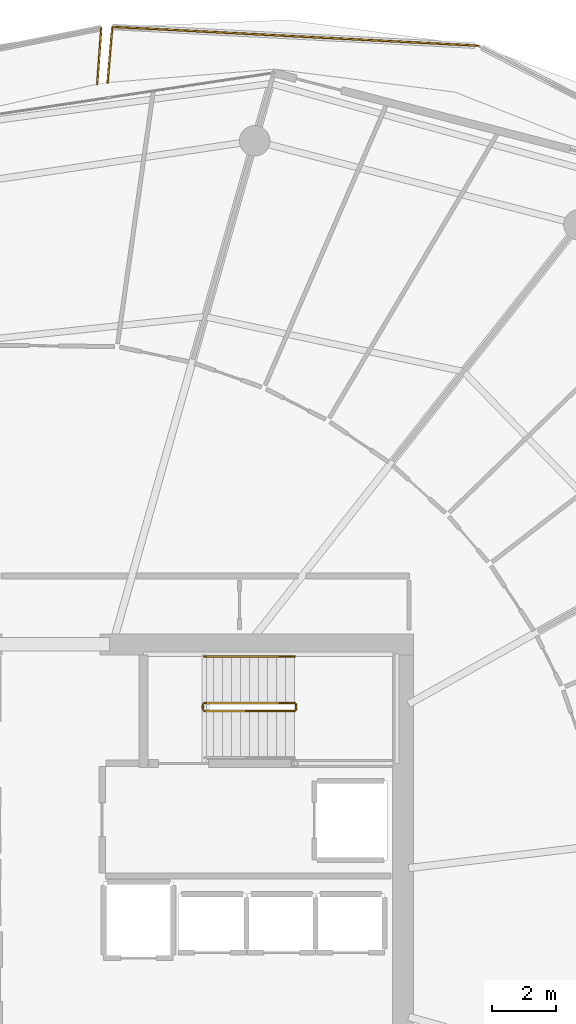
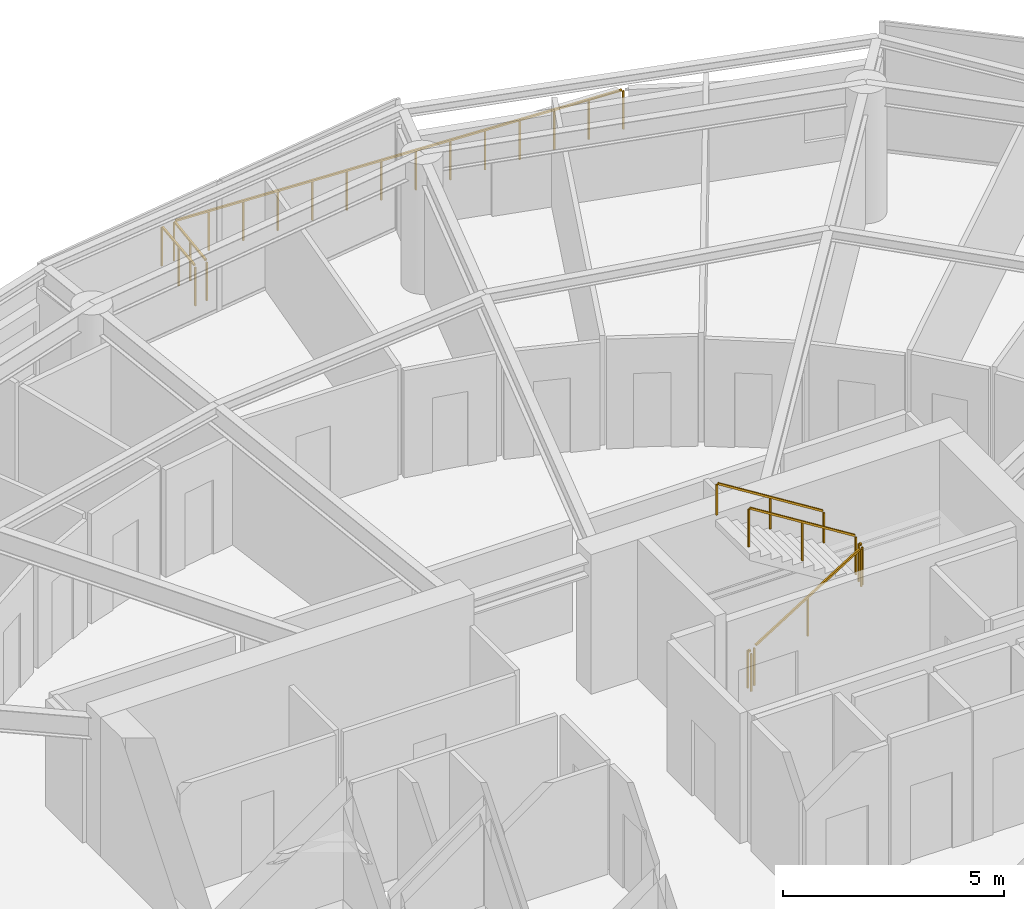
# One storey, part 30 of 31: 8 railings.
"""IFC4 building model written with IfcOpenShell, lengths in metres."""

import ifcopenshell
import ifcopenshell.guid

model = None  # the IFC model being written
_history = None  # IfcOwnerHistory: only IFC2X3 demands one
_inside = {}  # id of a spatial element -> (the spatial element, [elements in it])
_under = {}  # id of a project, library or spatial element -> (it, [spatial elements below it])
_declared = {}  # id of a project -> (the project, [libraries it declares])
_typed = {}  # id of a type object -> (the type object, [elements of that type])
_made_of = {}  # id of a material, layer set ... -> (it, [elements and type objects made of it])


def new_model(schema):
    """Start an empty IFC model of exactly this schema.

    Asked for "IFC4X3", IfcOpenShell would pick the latest addendum, in which some entities
    have other attributes; the version numbers below select the first issue.
    IFC2X3 requires an IfcOwnerHistory on every rooted entity: one is made here for all.
    """
    global model, _history
    if schema == "IFC4X3":
        model = ifcopenshell.file(schema_version=(4, 3, 0, 0))
    else:
        model = ifcopenshell.file(schema=schema)
    _inside.clear()
    _under.clear()
    _declared.clear()
    _typed.clear()
    _made_of.clear()
    _history = None
    if model.schema == "IFC2X3":
        org = make("IfcOrganization", Name="unknown")
        user = make(
            "IfcPersonAndOrganization",
            ThePerson=make("IfcPerson", FamilyName="unknown"),
            TheOrganization=org,
        )
        app = make(
            "IfcApplication",
            ApplicationDeveloper=org,
            Version="unknown",
            ApplicationFullName="unknown",
            ApplicationIdentifier="unknown",
        )
        _history = make(
            "IfcOwnerHistory",
            OwningUser=user,
            OwningApplication=app,
            ChangeAction="ADDED",
            CreationDate=0,
        )
    return model


def make(cls, **values):
    """One entity of the class cls with the attributes given. An attribute that is None is left unset."""
    return model.create_entity(
        cls, **{name: value for name, value in values.items() if value is not None}
    )


def rooted(cls, **values):
    """An entity with a GlobalId (a new one), such as an element, a storey or a relation."""
    return make(cls, GlobalId=ifcopenshell.guid.new(), OwnerHistory=_history, **values)


def si_unit(unit_type, name, prefix=None):
    """IfcSIUnit, for example si_unit("LENGTHUNIT", "METRE", prefix="MILLI")."""
    return make("IfcSIUnit", UnitType=unit_type, Prefix=prefix, Name=name)


def assignment(units):
    """IfcUnitAssignment: the units of a project."""
    return None if units is None else make("IfcUnitAssignment", Units=units)


def point(xyz):
    """IfcCartesianPoint."""
    return None if xyz is None else make("IfcCartesianPoint", Coordinates=xyz)


def direction(xyz):
    """IfcDirection."""
    return None if xyz is None else make("IfcDirection", DirectionRatios=xyz)


def frame(location, z_axis=None, x_axis=None):
    """IfcAxis2Placement3D, a coordinate frame: its origin and axes. An axis left out is left unset."""
    return make(
        "IfcAxis2Placement3D",
        Location=point(location),
        Axis=direction(z_axis),
        RefDirection=direction(x_axis),
    )


def frame_2d(location, x_axis=None):
    """IfcAxis2Placement2D, a coordinate frame in the plane: its origin and x axis."""
    return make(
        "IfcAxis2Placement2D", Location=point(location), RefDirection=direction(x_axis)
    )


def origin():
    """The frame at (0, 0, 0) with its axes left unset."""
    return frame((0.0, 0.0, 0.0))


def origin_2d():
    """The frame at (0, 0) in the plane with its x axis left unset."""
    return frame_2d((0.0, 0.0))


def place(relative_to, where):
    """IfcLocalPlacement: puts the frame where relative to a parent placement (None: the world)."""
    return make(
        "IfcLocalPlacement", PlacementRelTo=relative_to, RelativePlacement=where
    )


def context(
    kind, dimensions, precision=None, world=None, true_north=None, identifier=None
):
    """IfcGeometricRepresentationContext, for example the 3D "Model" context."""
    return make(
        "IfcGeometricRepresentationContext",
        ContextIdentifier=identifier,
        ContextType=kind,
        CoordinateSpaceDimension=dimensions,
        Precision=precision,
        WorldCoordinateSystem=world,
        TrueNorth=true_north,
    )


def subcontext(parent, identifier, kind, view, scale=None):
    """IfcGeometricRepresentationSubContext, for example "Body" below "Model"."""
    return make(
        "IfcGeometricRepresentationSubContext",
        ContextIdentifier=identifier,
        ContextType=kind,
        ParentContext=parent,
        TargetScale=scale,
        TargetView=view,
    )


def project(units=None, contexts=None):
    """IfcProject with its units and contexts."""
    return rooted(
        "IfcProject",
        Name="project",
        RepresentationContexts=contexts,
        UnitsInContext=assignment(units),
    )


def spatial(cls, under=None, at=None, **own):
    """A site, building, storey or space (cls), placed at a placement, below another one or the project."""
    s = rooted(cls, ObjectPlacement=at, **own)
    if under is not None:
        _under.setdefault(under.id(), (under, []))[1].append(s)
    return s


def profile(cls, at=None, kind="AREA", **sizes):
    """A parametric profile (cls). Its sizes go by their IFC names, for example OverallWidth=200.0."""
    return make(cls, ProfileType=kind, Position=at, **sizes)


def rectangle(**sizes):
    """IfcRectangleProfileDef."""
    return profile("IfcRectangleProfileDef", **sizes)


def extrude(swept, where, along, depth):
    """IfcExtrudedAreaSolid: the profile swept, set in the frame where, extruded along a direction by depth."""
    return make(
        "IfcExtrudedAreaSolid",
        SweptArea=swept,
        Position=where,
        ExtrudedDirection=direction(along),
        Depth=depth,
    )


def shape(context_of_items, identifier, shape_type, items):
    """IfcShapeRepresentation: the items that make up one representation, for example the "Body"."""
    return make(
        "IfcShapeRepresentation",
        ContextOfItems=context_of_items,
        RepresentationIdentifier=identifier,
        RepresentationType=shape_type,
        Items=items,
    )


def material(Name=None, Category=None):
    """IfcMaterial."""
    return make("IfcMaterial", Name=Name, Category=Category)


def made_of(thing, what):
    """Note that an element or type object is made of a material, layer set ...; save() writes the relation."""
    if what is not None:
        _made_of.setdefault(what.id(), (what, []))[1].append(thing)
    return thing


def type_object(cls, material=None, **own):
    """A type object (cls), such as IfcWallType, which elements share."""
    return made_of(rooted(cls, **own), material)


def element(
    cls,
    number,
    at=None,
    inside=None,
    cuts=None,
    type_object=None,
    material=None,
    context=None,
    identifier="Body",
    shape_type=None,
    held_by="IfcProductDefinitionShape",
    body=None,
    shapes=None,
    **own,
):
    """One element of the class cls, such as IfcWall. Its Tag is "e" and its number.

    at: its placement. inside: the storey or other place that contains it. cuts: it is an
    opening in that element (IfcRelVoidsElement). A single representation is given by context,
    identifier, shape_type and body (its items); several are given by shapes. held_by: the class
    of the entity that holds the representations. save() writes the other relations.
    """
    e = rooted(cls, Tag="e%d" % number, ObjectPlacement=at, **own)
    if body is not None:
        shapes = [shape(context, identifier, shape_type, body)]
    if shapes is not None:
        e.Representation = make(held_by, Representations=shapes)
    if inside is not None:
        _inside.setdefault(inside.id(), (inside, []))[1].append(e)
    if cuts is not None:
        rooted(
            "IfcRelVoidsElement", RelatingBuildingElement=cuts, RelatedOpeningElement=e
        )
    if type_object is not None:
        _typed.setdefault(type_object.id(), (type_object, []))[1].append(e)
    return made_of(e, material)


def aggregate(whole, parts):
    """IfcRelAggregates: a whole, such as a stair, and the parts it consists of."""
    return rooted("IfcRelAggregates", RelatingObject=whole, RelatedObjects=parts)


def save(model, path):
    """Write the relations noted so far, then the file.

    IfcRelAggregates (storeys below a building ...), IfcRelContainedInSpatialStructure (elements
    in a storey), IfcRelDefinesByType, IfcRelAssociatesMaterial and IfcRelDeclares: one each for
    every whole, place, type object, material and project.
    """
    for whole, parts in _under.values():
        aggregate(whole, parts)
    for where, things in _inside.values():
        rooted(
            "IfcRelContainedInSpatialStructure",
            RelatedElements=things,
            RelatingStructure=where,
        )
    for kind, things in _typed.values():
        rooted("IfcRelDefinesByType", RelatedObjects=things, RelatingType=kind)
    for what, things in _made_of.values():
        rooted("IfcRelAssociatesMaterial", RelatedObjects=things, RelatingMaterial=what)
    for by, libraries in _declared.values():
        rooted("IfcRelDeclares", RelatingContext=by, RelatedDefinitions=libraries)
    model.write(path)


model = new_model("IFC4")

# Units and contexts
model_context = context("Model", 3, precision=1e-05, world=origin(), true_north=direction((0.0, 1.0)))
body_context = subcontext(model_context, "Body", "Model", "MODEL_VIEW")
ifc_project = project(units=[si_unit("LENGTHUNIT", "METRE"), si_unit("AREAUNIT", "SQUARE_METRE"), si_unit("VOLUMEUNIT", "CUBIC_METRE"), si_unit("PLANEANGLEUNIT", "RADIAN"), si_unit("MASSUNIT", "GRAM", prefix="KILO")], contexts=[model_context])

# Site, building, storey
site_placement = place(None, origin())
site = spatial("IfcSite", under=ifc_project, at=site_placement, CompositionType="ELEMENT")
building_placement = place(site_placement, origin())
building = spatial("IfcBuilding", under=site, at=building_placement, Name="Kazma Halo Residences", CompositionType="ELEMENT")
storey_placement = place(building_placement, frame((0.0, 0.0, 271.35009765625)))
storey = spatial("IfcBuildingStorey", under=building, at=storey_placement, Name="L68", CompositionType="ELEMENT", Elevation=271.35009765625)

# Railings
ifc_material_1 = material(Name="Aluminium AW-6063 T6 Brushed Cap Rail", Category="aluminium")
railing_type_1 = type_object("IfcRailingType", Name="RLG-BAL-CAP-1120", PredefinedType="BALUSTRADE", material=ifc_material_1)
railing_1_placement = place(storey_placement, frame((61.72509765625, 68.936767578125, 0.0)))
element("IfcRailing", 1, at=railing_1_placement, inside=storey, type_object=railing_type_1, Name="L68 NE wave balcony guard 3", PredefinedType="BALUSTRADE", context=body_context, shape_type="SweptSolid", body=[
    extrude(rectangle(XDim=0.050048828125, YDim=0.050048828125, at=origin_2d()), frame((-0.04248046875, 0.002197265625, 1.09521484375), z_axis=(-0.998674943088, 0.051462200188, 0.0), x_axis=(-0.051462200188, -0.998674943088, 0.0)), (0.0, 0.0, 1.0), 11.319580078125),
    extrude(rectangle(XDim=0.0400390625, YDim=0.0400390625, at=origin_2d()), origin(), (0.0, 0.0, 1.0), 1.05810546875),
    extrude(rectangle(XDim=0.0400390625, YDim=0.0400390625, at=origin_2d()), frame((-0.876220703125, 0.045166015625, 0.0)), (0.0, 0.0, 1.0), 1.05810546875),
    extrude(rectangle(XDim=0.0400390625, YDim=0.0400390625, at=origin_2d()), frame((-1.752197265625, 0.09033203125, 0.0)), (0.0, 0.0, 1.0), 1.05810546875),
    extrude(rectangle(XDim=0.0400390625, YDim=0.0400390625, at=origin_2d()), frame((-2.62841796875, 0.135498046875, 0.0)), (0.0, 0.0, 1.0), 1.05810546875),
    extrude(rectangle(XDim=0.0400390625, YDim=0.0400390625, at=origin_2d()), frame((-3.50439453125, 0.1806640625, 0.0)), (0.0, 0.0, 1.0), 1.05810546875),
    extrude(rectangle(XDim=0.0400390625, YDim=0.0400390625, at=origin_2d()), frame((-4.380615234375, 0.225830078125, 0.0)), (0.0, 0.0, 1.0), 1.05810546875),
    extrude(rectangle(XDim=0.0400390625, YDim=0.0400390625, at=origin_2d()), frame((-5.2568359375, 0.27099609375, 0.0)), (0.0, 0.0, 1.0), 1.05810546875),
    extrude(rectangle(XDim=0.0400390625, YDim=0.0400390625, at=origin_2d()), frame((-6.1328125, 0.31591796875, 0.0)), (0.0, 0.0, 1.0), 1.05810546875),
    extrude(rectangle(XDim=0.0400390625, YDim=0.0400390625, at=origin_2d()), frame((-7.009033203125, 0.361083984375, 0.0)), (0.0, 0.0, 1.0), 1.05810546875),
    extrude(rectangle(XDim=0.0400390625, YDim=0.0400390625, at=origin_2d()), frame((-7.88525390625, 0.40625, 0.0)), (0.0, 0.0, 1.0), 1.05810546875),
    extrude(rectangle(XDim=0.0400390625, YDim=0.0400390625, at=origin_2d()), frame((-8.76123046875, 0.451416015625, 0.0)), (0.0, 0.0, 1.0), 1.05810546875),
    extrude(rectangle(XDim=0.0400390625, YDim=0.0400390625, at=origin_2d()), frame((-9.637451171875, 0.49658203125, 0.0)), (0.0, 0.0, 1.0), 1.05810546875),
    extrude(rectangle(XDim=0.0400390625, YDim=0.0400390625, at=origin_2d()), frame((-10.513427734375, 0.541748046875, 0.0)), (0.0, 0.0, 1.0), 1.05810546875),
    extrude(rectangle(XDim=0.0400390625, YDim=0.0400390625, at=origin_2d()), frame((-11.3896484375, 0.5869140625, 0.0)), (0.0, 0.0, 1.0), 1.05810546875),
])
railing_2_placement = place(storey_placement, frame((50.33544921875, 69.523681640625, 0.0)))
element("IfcRailing", 2, at=railing_2_placement, inside=storey, type_object=railing_type_1, Name="L68 NE wave balcony guard 4", PredefinedType="BALUSTRADE", context=body_context, shape_type="SweptSolid", body=[
    extrude(rectangle(XDim=0.050048828125, YDim=0.050048828125, at=origin_2d()), frame((-0.003662109375, -0.04248046875, 1.09521484375), z_axis=(-0.084535390585, -0.996420477378, 0.0), x_axis=(0.996420477378, -0.084535390585, 0.0)), (0.0, 0.0, 1.0), 1.650634765625),
    extrude(rectangle(XDim=0.0400390625, YDim=0.0400390625, at=origin_2d()), origin(), (0.0, 0.0, 1.0), 1.05810546875),
    extrude(rectangle(XDim=0.0400390625, YDim=0.0400390625, at=origin_2d()), frame((-0.0732421875, -0.86474609375, 0.0)), (0.0, 0.0, 1.0), 1.05810546875),
    extrude(rectangle(XDim=0.0400390625, YDim=0.0400390625, at=origin_2d()), frame((-0.146728515625, -1.7294921875, 0.0)), (0.0, 0.0, 1.0), 1.05810546875),
])
railing_3_placement = place(storey_placement, frame((49.8681640625, 67.74609375, 0.0)))
element("IfcRailing", 3, at=railing_3_placement, inside=storey, type_object=railing_type_1, Name="L68 NNW wave balcony guard 1", PredefinedType="BALUSTRADE", context=body_context, shape_type="SweptSolid", body=[
    extrude(rectangle(XDim=0.050048828125, YDim=0.050048828125, at=origin_2d()), frame((0.003173828125, 0.04248046875, 1.09521484375), z_axis=(0.072350928263, 0.997379237391, 0.0), x_axis=(-0.997379237391, 0.072350928263, 0.0)), (0.0, 0.0, 1.0), 1.659423828125),
    extrude(rectangle(XDim=0.0400390625, YDim=0.0400390625, at=origin_2d()), origin(), (0.0, 0.0, 1.0), 1.05810546875),
    extrude(rectangle(XDim=0.0400390625, YDim=0.0400390625, at=origin_2d()), frame((0.06298828125, 0.8701171875, 0.0)), (0.0, 0.0, 1.0), 1.05810546875),
    extrude(rectangle(XDim=0.0400390625, YDim=0.0400390625, at=origin_2d()), frame((0.126220703125, 1.739990234375, 0.0)), (0.0, 0.0, 1.0), 1.05810546875),
])
ifc_material_2 = material(Name="Painted Steel S355", Category="steel")
railing_type_2 = type_object("IfcRailingType", Name="RLG-STAIR-GRD-1100", PredefinedType="GUARDRAIL", material=ifc_material_2)
railing_4_placement = place(storey_placement, frame((53.199951171875, 48.25, 0.1748046875)))
element("IfcRailing", 4, at=railing_4_placement, inside=storey, type_object=railing_type_2, Name="L68 ST-02 stair guard 1", PredefinedType="GUARDRAIL", context=body_context, shape_type="SweptSolid", body=[
    extrude(rectangle(XDim=0.050048828125, YDim=0.050048828125, at=origin_2d()), frame((0.0361328125, 0.0, 1.09765625), z_axis=(0.848002457836, 0.0, 0.529992293815), x_axis=(0.0, 1.0, 0.0)), (0.0, 0.0, 1.0), 3.216796875),
    extrude(rectangle(XDim=0.0400390625, YDim=0.0400390625, at=origin_2d()), origin(), (0.0, 0.0, 1.0), 1.0380859375),
    extrude(rectangle(XDim=0.0400390625, YDim=0.0400390625, at=origin_2d()), frame((1.39990234375, 0.0, 0.875)), (0.0, 0.0, 1.0), 1.0380859375),
    extrude(rectangle(XDim=0.0400390625, YDim=0.0400390625, at=origin_2d()), frame((2.800048828125, 0.0, 1.75)), (0.0, 0.0, 1.0), 1.0380859375),
])
railing_5_placement = place(storey_placement, frame((56.050048828125, 48.300048828125, 1.9248046875)))
element("IfcRailing", 5, at=railing_5_placement, inside=storey, type_object=railing_type_2, Name="L68 ST-02 stair guard 2", PredefinedType="GUARDRAIL", context=body_context, shape_type="SweptSolid", body=[
    extrude(rectangle(XDim=0.050048828125, YDim=0.050048828125, at=origin_2d()), frame((0.0, 0.04248046875, 1.0751953125), z_axis=(0.0, 1.0, 0.0), x_axis=(-1.0, 0.0, 0.0)), (0.0, 0.0, 1.0), 0.06494140625),
    extrude(rectangle(XDim=0.0400390625, YDim=0.0400390625, at=origin_2d()), origin(), (0.0, 0.0, 1.0), 1.0380859375),
    extrude(rectangle(XDim=0.0400390625, YDim=0.0400390625, at=origin_2d()), frame((0.0, 0.14990234375, 0.0)), (0.0, 0.0, 1.0), 1.0380859375),
])
railing_6_placement = place(storey_placement, frame((56.0, 48.5, 2.099853515625)))
element("IfcRailing", 6, at=railing_6_placement, inside=storey, type_object=railing_type_2, Name="L68 ST-02 stair guard 3", PredefinedType="GUARDRAIL", context=body_context, shape_type="SweptSolid", body=[
    extrude(rectangle(XDim=0.050048828125, YDim=0.050048828125, at=origin_2d()), frame((-0.0361328125, 0.0, 1.09765625), z_axis=(-0.848002457836, 0.0, 0.529992293815), x_axis=(0.0, -1.0, 0.0)), (0.0, 0.0, 1.0), 3.216796875),
    extrude(rectangle(XDim=0.0400390625, YDim=0.0400390625, at=origin_2d()), origin(), (0.0, 0.0, 1.0), 1.0380859375),
    extrude(rectangle(XDim=0.0400390625, YDim=0.0400390625, at=origin_2d()), frame((-1.39990234375, 0.0, 0.875)), (0.0, 0.0, 1.0), 1.0380859375),
    extrude(rectangle(XDim=0.0400390625, YDim=0.0400390625, at=origin_2d()), frame((-2.800048828125, 0.0, 1.75)), (0.0, 0.0, 1.0), 1.0380859375),
])
railing_7_placement = place(storey_placement, frame((53.14990234375, 48.300048828125, 0.0)))
element("IfcRailing", 7, at=railing_7_placement, inside=storey, type_object=railing_type_2, Name="L68 ST-02 stair guard 4", PredefinedType="GUARDRAIL", context=body_context, shape_type="SweptSolid", body=[
    extrude(rectangle(XDim=0.050048828125, YDim=0.050048828125, at=origin_2d()), frame((0.0, 0.04248046875, 1.0751953125), z_axis=(0.0, 1.0, 0.0), x_axis=(-1.0, 0.0, 0.0)), (0.0, 0.0, 1.0), 0.06494140625),
    extrude(rectangle(XDim=0.0400390625, YDim=0.0400390625, at=origin_2d()), origin(), (0.0, 0.0, 1.0), 1.0380859375),
    extrude(rectangle(XDim=0.0400390625, YDim=0.0400390625, at=origin_2d()), frame((0.0, 0.14990234375, 0.0)), (0.0, 0.0, 1.0), 1.0380859375),
])
ifc_material_3 = material(Name="Brushed Stainless Steel", Category="steel")
railing_type_3 = type_object("IfcRailingType", Name="RLG-STAIR-HND-900", PredefinedType="HANDRAIL", material=ifc_material_3)
railing_8_placement = place(storey_placement, frame((56.0, 49.949951171875, 2.099853515625)))
element("IfcRailing", 8, at=railing_8_placement, inside=storey, type_object=railing_type_3, Name="L68 ST-02 stair handrail 2", PredefinedType="HANDRAIL", context=body_context, shape_type="SweptSolid", body=[
    extrude(rectangle(XDim=0.050048828125, YDim=0.050048828125, at=origin_2d()), frame((-0.0361328125, 0.0, 0.8974609375), z_axis=(-0.848002457836, 0.0, 0.529992293815), x_axis=(0.0, -1.0, 0.0)), (0.0, 0.0, 1.0), 3.216796875),
    extrude(rectangle(XDim=0.0400390625, YDim=0.0400390625, at=origin_2d()), origin(), (0.0, 0.0, 1.0), 0.837890625),
    extrude(rectangle(XDim=0.0400390625, YDim=0.0400390625, at=origin_2d()), frame((-1.39990234375, 0.0, 0.875)), (0.0, 0.0, 1.0), 0.837890625),
    extrude(rectangle(XDim=0.0400390625, YDim=0.0400390625, at=origin_2d()), frame((-2.800048828125, 0.0, 1.75)), (0.0, 0.0, 1.0), 0.837890625),
])

save(model, "model.ifc")
